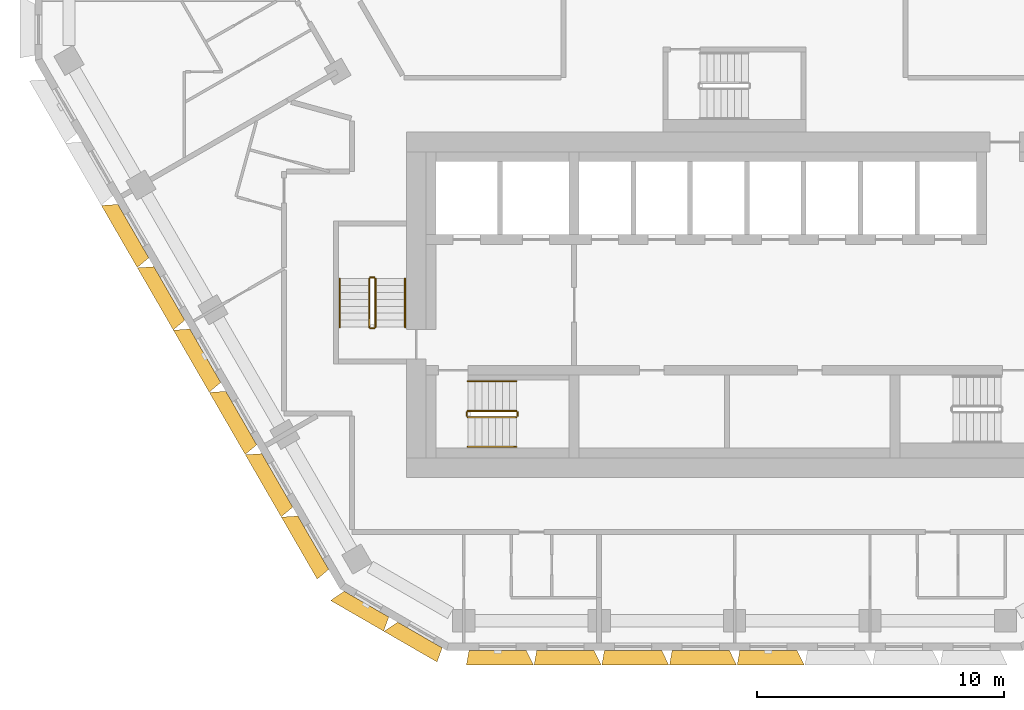
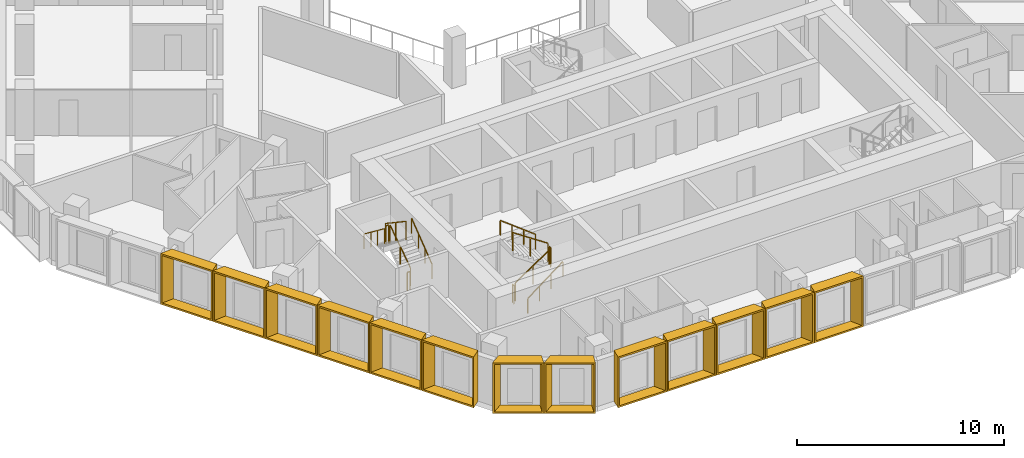
# One storey, part 14 of 17: 13 shading devices, 12 railings.
"""IFC4 building model written with IfcOpenShell, lengths in metres."""

import ifcopenshell
import ifcopenshell.guid

model = None  # the IFC model being written
_history = None  # IfcOwnerHistory: only IFC2X3 demands one
_inside = {}  # id of a spatial element -> (the spatial element, [elements in it])
_under = {}  # id of a project, library or spatial element -> (it, [spatial elements below it])
_declared = {}  # id of a project -> (the project, [libraries it declares])
_typed = {}  # id of a type object -> (the type object, [elements of that type])
_made_of = {}  # id of a material, layer set ... -> (it, [elements and type objects made of it])


def new_model(schema):
    """Start an empty IFC model of exactly this schema.

    Asked for "IFC4X3", IfcOpenShell would pick the latest addendum, in which some entities
    have other attributes; the version numbers below select the first issue.
    IFC2X3 requires an IfcOwnerHistory on every rooted entity: one is made here for all.
    """
    global model, _history
    if schema == "IFC4X3":
        model = ifcopenshell.file(schema_version=(4, 3, 0, 0))
    else:
        model = ifcopenshell.file(schema=schema)
    _inside.clear()
    _under.clear()
    _declared.clear()
    _typed.clear()
    _made_of.clear()
    _history = None
    if model.schema == "IFC2X3":
        org = make("IfcOrganization", Name="unknown")
        user = make(
            "IfcPersonAndOrganization",
            ThePerson=make("IfcPerson", FamilyName="unknown"),
            TheOrganization=org,
        )
        app = make(
            "IfcApplication",
            ApplicationDeveloper=org,
            Version="unknown",
            ApplicationFullName="unknown",
            ApplicationIdentifier="unknown",
        )
        _history = make(
            "IfcOwnerHistory",
            OwningUser=user,
            OwningApplication=app,
            ChangeAction="ADDED",
            CreationDate=0,
        )
    return model


def make(cls, **values):
    """One entity of the class cls with the attributes given. An attribute that is None is left unset."""
    return model.create_entity(
        cls, **{name: value for name, value in values.items() if value is not None}
    )


def entity(cls, *values):
    """Any entity or typed value of the class cls, its attributes in the order of the schema. None: left unset."""
    e = model.create_entity(cls)
    for i, value in enumerate(values):
        if value is not None:
            e[i] = value
    return e


def rooted(cls, **values):
    """An entity with a GlobalId (a new one), such as an element, a storey or a relation."""
    return make(cls, GlobalId=ifcopenshell.guid.new(), OwnerHistory=_history, **values)


def si_unit(unit_type, name, prefix=None):
    """IfcSIUnit, for example si_unit("LENGTHUNIT", "METRE", prefix="MILLI")."""
    return make("IfcSIUnit", UnitType=unit_type, Prefix=prefix, Name=name)


def assignment(units):
    """IfcUnitAssignment: the units of a project."""
    return None if units is None else make("IfcUnitAssignment", Units=units)


def point(xyz):
    """IfcCartesianPoint."""
    return None if xyz is None else make("IfcCartesianPoint", Coordinates=xyz)


def direction(xyz):
    """IfcDirection."""
    return None if xyz is None else make("IfcDirection", DirectionRatios=xyz)


def frame(location, z_axis=None, x_axis=None):
    """IfcAxis2Placement3D, a coordinate frame: its origin and axes. An axis left out is left unset."""
    return make(
        "IfcAxis2Placement3D",
        Location=point(location),
        Axis=direction(z_axis),
        RefDirection=direction(x_axis),
    )


def frame_2d(location, x_axis=None):
    """IfcAxis2Placement2D, a coordinate frame in the plane: its origin and x axis."""
    return make(
        "IfcAxis2Placement2D", Location=point(location), RefDirection=direction(x_axis)
    )


def origin():
    """The frame at (0, 0, 0) with its axes left unset."""
    return frame((0.0, 0.0, 0.0))


def origin_2d():
    """The frame at (0, 0) in the plane with its x axis left unset."""
    return frame_2d((0.0, 0.0))


def place(relative_to, where):
    """IfcLocalPlacement: puts the frame where relative to a parent placement (None: the world)."""
    return make(
        "IfcLocalPlacement", PlacementRelTo=relative_to, RelativePlacement=where
    )


def context(
    kind, dimensions, precision=None, world=None, true_north=None, identifier=None
):
    """IfcGeometricRepresentationContext, for example the 3D "Model" context."""
    return make(
        "IfcGeometricRepresentationContext",
        ContextIdentifier=identifier,
        ContextType=kind,
        CoordinateSpaceDimension=dimensions,
        Precision=precision,
        WorldCoordinateSystem=world,
        TrueNorth=true_north,
    )


def subcontext(parent, identifier, kind, view, scale=None):
    """IfcGeometricRepresentationSubContext, for example "Body" below "Model"."""
    return make(
        "IfcGeometricRepresentationSubContext",
        ContextIdentifier=identifier,
        ContextType=kind,
        ParentContext=parent,
        TargetScale=scale,
        TargetView=view,
    )


def project(units=None, contexts=None):
    """IfcProject with its units and contexts."""
    return rooted(
        "IfcProject",
        Name="project",
        RepresentationContexts=contexts,
        UnitsInContext=assignment(units),
    )


def spatial(cls, under=None, at=None, **own):
    """A site, building, storey or space (cls), placed at a placement, below another one or the project."""
    s = rooted(cls, ObjectPlacement=at, **own)
    if under is not None:
        _under.setdefault(under.id(), (under, []))[1].append(s)
    return s


def profile(cls, at=None, kind="AREA", **sizes):
    """A parametric profile (cls). Its sizes go by their IFC names, for example OverallWidth=200.0."""
    return make(cls, ProfileType=kind, Position=at, **sizes)


def rectangle(**sizes):
    """IfcRectangleProfileDef."""
    return profile("IfcRectangleProfileDef", **sizes)


def extrude(swept, where, along, depth):
    """IfcExtrudedAreaSolid: the profile swept, set in the frame where, extruded along a direction by depth."""
    return make(
        "IfcExtrudedAreaSolid",
        SweptArea=swept,
        Position=where,
        ExtrudedDirection=direction(along),
        Depth=depth,
    )


def shape(context_of_items, identifier, shape_type, items):
    """IfcShapeRepresentation: the items that make up one representation, for example the "Body"."""
    return make(
        "IfcShapeRepresentation",
        ContextOfItems=context_of_items,
        RepresentationIdentifier=identifier,
        RepresentationType=shape_type,
        Items=items,
    )


def source(mapping_origin, context_of_items, identifier, shape_type, items):
    """IfcRepresentationMap: a shape defined once, which mapped items show again and again."""
    return make(
        "IfcRepresentationMap",
        MappingOrigin=mapping_origin,
        MappedRepresentation=shape(context_of_items, identifier, shape_type, items),
    )


def transform(
    local_origin,
    x_axis=None,
    y_axis=None,
    z_axis=None,
    scale=None,
    scale2=None,
    scale3=None,
    uniform=True,
):
    """IfcCartesianTransformationOperator3D, or its non-uniform kind. x_axis, y_axis, z_axis: its Axis1, 2, 3."""
    if uniform:
        return make(
            "IfcCartesianTransformationOperator3D",
            Axis1=direction(x_axis),
            Axis2=direction(y_axis),
            LocalOrigin=point(local_origin),
            Scale=scale,
            Axis3=direction(z_axis),
        )
    return make(
        "IfcCartesianTransformationOperator3DnonUniform",
        Axis1=direction(x_axis),
        Axis2=direction(y_axis),
        LocalOrigin=point(local_origin),
        Scale=scale,
        Axis3=direction(z_axis),
        Scale2=scale2,
        Scale3=scale3,
    )


def mapped(mapping_source, mapping_target):
    """IfcMappedItem: shows the shape of a source again, moved by a transform."""
    return make(
        "IfcMappedItem", MappingSource=mapping_source, MappingTarget=mapping_target
    )


def material(Name=None, Category=None):
    """IfcMaterial."""
    return make("IfcMaterial", Name=Name, Category=Category)


def made_of(thing, what):
    """Note that an element or type object is made of a material, layer set ...; save() writes the relation."""
    if what is not None:
        _made_of.setdefault(what.id(), (what, []))[1].append(thing)
    return thing


def type_object(cls, material=None, **own):
    """A type object (cls), such as IfcWallType, which elements share."""
    return made_of(rooted(cls, **own), material)


def type_shapes(of_type, sources):
    """Give a type object the sources (RepresentationMaps) that its elements show as mapped items."""
    of_type.RepresentationMaps = sources


def element(
    cls,
    number,
    at=None,
    inside=None,
    cuts=None,
    type_object=None,
    material=None,
    context=None,
    identifier="Body",
    shape_type=None,
    held_by="IfcProductDefinitionShape",
    body=None,
    shapes=None,
    **own,
):
    """One element of the class cls, such as IfcWall. Its Tag is "e" and its number.

    at: its placement. inside: the storey or other place that contains it. cuts: it is an
    opening in that element (IfcRelVoidsElement). A single representation is given by context,
    identifier, shape_type and body (its items); several are given by shapes. held_by: the class
    of the entity that holds the representations. save() writes the other relations.
    """
    e = rooted(cls, Tag="e%d" % number, ObjectPlacement=at, **own)
    if body is not None:
        shapes = [shape(context, identifier, shape_type, body)]
    if shapes is not None:
        e.Representation = make(held_by, Representations=shapes)
    if inside is not None:
        _inside.setdefault(inside.id(), (inside, []))[1].append(e)
    if cuts is not None:
        rooted(
            "IfcRelVoidsElement", RelatingBuildingElement=cuts, RelatedOpeningElement=e
        )
    if type_object is not None:
        _typed.setdefault(type_object.id(), (type_object, []))[1].append(e)
    return made_of(e, material)


def aggregate(whole, parts):
    """IfcRelAggregates: a whole, such as a stair, and the parts it consists of."""
    return rooted("IfcRelAggregates", RelatingObject=whole, RelatedObjects=parts)


def save(model, path):
    """Write the relations noted so far, then the file.

    IfcRelAggregates (storeys below a building ...), IfcRelContainedInSpatialStructure (elements
    in a storey), IfcRelDefinesByType, IfcRelAssociatesMaterial and IfcRelDeclares: one each for
    every whole, place, type object, material and project.
    """
    for whole, parts in _under.values():
        aggregate(whole, parts)
    for where, things in _inside.values():
        rooted(
            "IfcRelContainedInSpatialStructure",
            RelatedElements=things,
            RelatingStructure=where,
        )
    for kind, things in _typed.values():
        rooted("IfcRelDefinesByType", RelatedObjects=things, RelatingType=kind)
    for what, things in _made_of.values():
        rooted("IfcRelAssociatesMaterial", RelatedObjects=things, RelatingMaterial=what)
    for by, libraries in _declared.values():
        rooted("IfcRelDeclares", RelatingContext=by, RelatedDefinitions=libraries)
    model.write(path)


model = new_model("IFC4")

# Units and contexts
model_context = context("Model", 3, precision=1e-05, world=origin(), true_north=direction((0.0, 1.0)))
body_context = subcontext(model_context, "Body", "Model", "MODEL_VIEW")
ifc_project = project(units=[si_unit("LENGTHUNIT", "METRE"), si_unit("AREAUNIT", "SQUARE_METRE"), si_unit("VOLUMEUNIT", "CUBIC_METRE"), si_unit("PLANEANGLEUNIT", "RADIAN"), si_unit("MASSUNIT", "GRAM", prefix="KILO")], contexts=[model_context])

# Site, building, storey
site_placement = place(None, origin())
site = spatial("IfcSite", under=ifc_project, at=site_placement, CompositionType="ELEMENT")
building_placement = place(site_placement, origin())
building = spatial("IfcBuilding", under=site, at=building_placement, Name="Beryl Residences", CompositionType="ELEMENT")
storey_placement = place(building_placement, frame((0.0, 0.0, 144.60009765625)))
storey = spatial("IfcBuildingStorey", under=building, at=storey_placement, Name="L44", CompositionType="ELEMENT", Elevation=144.60009765625)

# Shading devices
ifc_material_1 = material(Name="Aluminium pale anodised", Category="aluminium")
shading_device_type_1 = type_object("IfcShadingDeviceType", Name="FR250-60B OUTER SKIN frame 600 mm deep, splay 26/10 deg, 2500 x 3000 mm cell", PredefinedType="USERDEFINED", material=ifc_material_1)
cartesian_point_1 = entity("IfcCartesianPoint", [-1.04052734375, 0.0])
cartesian_point_2 = entity("IfcCartesianPoint", [-0.951416015625, 0.10009765625])
cartesian_point_3 = entity("IfcCartesianPoint", [-1.333251953125, 0.0])
cartesian_point_4 = entity("IfcCartesianPoint", [-1.244140625, 0.10009765625])
shared_shape_1 = source(origin(), body_context, "Body", "SweptSolid", [
    entity("IfcExtrudedAreaSolidTapered", entity("IfcArbitraryProfileDefWithVoids", "AREA", None, entity("IfcPolyline", [cartesian_point_1, entity("IfcCartesianPoint", [1.04052734375, 0.0]), entity("IfcCartesianPoint", [1.04052734375, 3.0]), entity("IfcCartesianPoint", [-1.04052734375, 3.0]), cartesian_point_1]), [entity("IfcPolyline", [cartesian_point_2, entity("IfcCartesianPoint", [0.959228515625, 0.10009765625]), entity("IfcCartesianPoint", [0.959228515625, 2.89990234375]), entity("IfcCartesianPoint", [-0.951416015625, 2.89990234375]), cartesian_point_2])]), entity("IfcAxis2Placement3D", entity("IfcCartesianPoint", [0.0, 0.0, 0.0]), entity("IfcDirection", [0.0, 1.0, 0.0]), entity("IfcDirection", [-1.0, 0.0, 0.0])), entity("IfcDirection", [0.0, 0.0, 1.0]), 0.60009765625, entity("IfcArbitraryProfileDefWithVoids", "AREA", None, entity("IfcPolyline", [cartesian_point_3, entity("IfcCartesianPoint", [1.146240234375, 0.0]), entity("IfcCartesianPoint", [1.146240234375, 3.0]), entity("IfcCartesianPoint", [-1.333251953125, 3.0]), cartesian_point_3]), [entity("IfcPolyline", [cartesian_point_4, entity("IfcCartesianPoint", [1.06494140625, 0.10009765625]), entity("IfcCartesianPoint", [1.06494140625, 2.89990234375]), entity("IfcCartesianPoint", [-1.244140625, 2.89990234375]), cartesian_point_4])])),
])
type_shapes(shading_device_type_1, [shared_shape_1])
for number, where, z_axis, x_axis, name in (
    (1, (-14.909912109375, -24.125, 0.0), (0.0, 0.0, 1.0), (-0.866025403784, 0.5, 0.0), "FR250-60B frame L44 SW-S 1"),
    (2, (-12.7451171875, -25.375, 0.0), (0.0, 0.0, 1.0), (-0.866025403784, 0.5, 0.0), "FR250-60B frame L44 SW-S 2"),
):
    element("IfcShadingDevice", number, at=place(storey_placement, frame(where, z_axis=z_axis, x_axis=x_axis)), inside=storey, type_object=shading_device_type_1, Name=name, ObjectType="OUTER SKIN", PredefinedType="USERDEFINED", context=body_context, shape_type="MappedRepresentation", body=[
        mapped(shared_shape_1, transform((0.0, 0.0, 0.0))),
    ])
ifc_material_2 = material(Name="Aluminium pale anodised", Category="aluminium")
shading_device_type_2 = type_object("IfcShadingDeviceType", Name="FR274-60C OUTER SKIN frame 600 mm deep, splay 10/26 deg, 2740 x 3000 mm cell", PredefinedType="USERDEFINED", material=ifc_material_2)
cartesian_point_5 = entity("IfcCartesianPoint", [-1.160400390625, 0.0])
cartesian_point_6 = entity("IfcCartesianPoint", [-1.079345703125, 0.10009765625])
cartesian_point_7 = entity("IfcCartesianPoint", [-1.266357421875, 0.0])
cartesian_point_8 = entity("IfcCartesianPoint", [-1.18505859375, 0.10009765625])
shared_shape_2 = source(origin(), body_context, "Body", "SweptSolid", [
    entity("IfcExtrudedAreaSolidTapered", entity("IfcArbitraryProfileDefWithVoids", "AREA", None, entity("IfcPolyline", [cartesian_point_5, entity("IfcCartesianPoint", [1.160400390625, 0.0]), entity("IfcCartesianPoint", [1.160400390625, 3.0]), entity("IfcCartesianPoint", [-1.160400390625, 3.0]), cartesian_point_5]), [entity("IfcPolyline", [cartesian_point_6, entity("IfcCartesianPoint", [1.071533203125, 0.10009765625]), entity("IfcCartesianPoint", [1.071533203125, 2.89990234375]), entity("IfcCartesianPoint", [-1.079345703125, 2.89990234375]), cartesian_point_6])]), entity("IfcAxis2Placement3D", entity("IfcCartesianPoint", [0.0, 0.0, 0.0]), entity("IfcDirection", [0.0, 1.0, 0.0]), entity("IfcDirection", [-1.0, 0.0, 0.0])), entity("IfcDirection", [0.0, 0.0, 1.0]), 0.60009765625, entity("IfcArbitraryProfileDefWithVoids", "AREA", None, entity("IfcPolyline", [cartesian_point_7, entity("IfcCartesianPoint", [1.453125, 0.0]), entity("IfcCartesianPoint", [1.453125, 3.0]), entity("IfcCartesianPoint", [-1.266357421875, 3.0]), cartesian_point_7]), [entity("IfcPolyline", [cartesian_point_8, entity("IfcCartesianPoint", [1.364013671875, 0.10009765625]), entity("IfcCartesianPoint", [1.364013671875, 2.89990234375]), entity("IfcCartesianPoint", [-1.18505859375, 2.89990234375]), cartesian_point_8])])),
])
type_shapes(shading_device_type_2, [shared_shape_2])
for number, where, z_axis, x_axis, name in (
    (3, (-9.597900390625, -26.0, 0.0), (0.0, 0.0, 1.0), (-1.0, 0.0, 0.0), "FR274-60C frame L44 S 1"),
    (4, (-6.85498046875, -26.0, 0.0), (0.0, 0.0, 1.0), (-1.0, 0.0, 0.0), "FR274-60C frame L44 S 2"),
    (5, (-4.113037109375, -26.0, 0.0), (0.0, 0.0, 1.0), (-1.0, 0.0, 0.0), "FR274-60C frame L44 S 3"),
    (6, (-1.3701171875, -26.0, 0.0), (0.0, 0.0, 1.0), (-1.0, 0.0, 0.0), "FR274-60C frame L44 S 4"),
    (7, (1.3720703125, -26.0, 0.0), (0.0, 0.0, 1.0), (-1.0, 0.0, 0.0), "FR274-60C frame L44 S 5"),
):
    element("IfcShadingDevice", number, at=place(storey_placement, frame(where, z_axis=z_axis, x_axis=x_axis)), inside=storey, type_object=shading_device_type_2, Name=name, ObjectType="OUTER SKIN", PredefinedType="USERDEFINED", context=body_context, shape_type="MappedRepresentation", body=[
        mapped(shared_shape_2, transform((0.0, 0.0, 0.0))),
    ])
ifc_material_3 = material(Name="Aluminium pale anodised", Category="aluminium")
shading_device_type_3 = type_object("IfcShadingDeviceType", Name="FR292-60B OUTER SKIN frame 600 mm deep, splay 26/10 deg, 2920 x 3000 mm cell", PredefinedType="USERDEFINED", material=ifc_material_3)
cartesian_point_9 = entity("IfcCartesianPoint", [-1.25048828125, 0.0])
cartesian_point_10 = entity("IfcCartesianPoint", [-1.161376953125, 0.10009765625])
cartesian_point_11 = entity("IfcCartesianPoint", [-1.543212890625, 0.0])
cartesian_point_12 = entity("IfcCartesianPoint", [-1.4541015625, 0.10009765625])
shared_shape_3 = source(origin(), body_context, "Body", "SweptSolid", [
    entity("IfcExtrudedAreaSolidTapered", entity("IfcArbitraryProfileDefWithVoids", "AREA", None, entity("IfcPolyline", [cartesian_point_9, entity("IfcCartesianPoint", [1.25048828125, 0.0]), entity("IfcCartesianPoint", [1.25048828125, 3.0]), entity("IfcCartesianPoint", [-1.25048828125, 3.0]), cartesian_point_9]), [entity("IfcPolyline", [cartesian_point_10, entity("IfcCartesianPoint", [1.169189453125, 0.10009765625]), entity("IfcCartesianPoint", [1.169189453125, 2.89990234375]), entity("IfcCartesianPoint", [-1.161376953125, 2.89990234375]), cartesian_point_10])]), entity("IfcAxis2Placement3D", entity("IfcCartesianPoint", [0.0, 0.0, 0.0]), entity("IfcDirection", [0.0, 1.0, 0.0]), entity("IfcDirection", [-1.0, 0.0, 0.0])), entity("IfcDirection", [0.0, 0.0, 1.0]), 0.60009765625, entity("IfcArbitraryProfileDefWithVoids", "AREA", None, entity("IfcPolyline", [cartesian_point_11, entity("IfcCartesianPoint", [1.356201171875, 0.0]), entity("IfcCartesianPoint", [1.356201171875, 3.0]), entity("IfcCartesianPoint", [-1.543212890625, 3.0]), cartesian_point_11]), [entity("IfcPolyline", [cartesian_point_12, entity("IfcCartesianPoint", [1.275146484375, 0.10009765625]), entity("IfcCartesianPoint", [1.275146484375, 2.89990234375]), entity("IfcCartesianPoint", [-1.4541015625, 2.89990234375]), cartesian_point_12])])),
])
type_shapes(shading_device_type_3, [shared_shape_3])
for number, where, z_axis, x_axis, name in (
    (8, (-24.35693359375, -9.011962890625, 0.0), (0.0, 0.0, 1.0), (-0.5, 0.866025403784, 0.0), "FR292-60B frame L44 SW 3"),
    (9, (-22.89892578125, -11.537109375, 0.0), (0.0, 0.0, 1.0), (-0.5, 0.866025403784, 0.0), "FR292-60B frame L44 SW 4"),
    (10, (-21.44189453125, -14.06201171875, 0.0), (0.0, 0.0, 1.0), (-0.5, 0.866025403784, 0.0), "FR292-60B frame L44 SW 5"),
    (11, (-19.98388671875, -16.5859375, 0.0), (0.0, 0.0, 1.0), (-0.5, 0.866025403784, 0.0), "FR292-60B frame L44 SW 6"),
    (12, (-18.52587890625, -19.111083984375, 0.0), (0.0, 0.0, 1.0), (-0.5, 0.866025403784, 0.0), "FR292-60B frame L44 SW 7"),
    (13, (-17.068115234375, -21.635986328125, 0.0), (0.0, 0.0, 1.0), (-0.5, 0.866025403784, 0.0), "FR292-60B frame L44 SW 8"),
):
    element("IfcShadingDevice", number, at=place(storey_placement, frame(where, z_axis=z_axis, x_axis=x_axis)), inside=storey, type_object=shading_device_type_3, Name=name, ObjectType="OUTER SKIN", PredefinedType="USERDEFINED", context=body_context, shape_type="MappedRepresentation", body=[
        mapped(shared_shape_3, transform((0.0, 0.0, 0.0))),
    ])

# Railings
ifc_material_4 = material(Name="Stainless steel balustrade with glass infill", Category="steel")
railing_type_1 = type_object("IfcRailingType", Name="SG1 stair guard 1100 mm", PredefinedType="GUARDRAIL", material=ifc_material_4)
railing_1_placement = place(storey_placement, frame((-10.800048828125, -16.550048828125, 0.1875)))
element("IfcRailing", 14, at=railing_1_placement, inside=storey, type_object=railing_type_1, Name="L44 ST-1 stair guard 1", PredefinedType="GUARDRAIL", context=body_context, shape_type="SweptSolid", body=[
    extrude(rectangle(XDim=0.048095703125, YDim=0.048095703125, at=origin_2d()), frame((0.0, 0.0, 1.076171875), z_axis=(0.830902050051, 0.0, 0.556418712142), x_axis=(0.0, 1.0, 0.0)), (0.0, 0.0, 1.0), 2.35888671875),
    extrude(rectangle(XDim=0.0419921875, YDim=0.0419921875, at=origin_2d()), origin(), (0.0, 0.0, 1.0), 1.052001953125),
    extrude(rectangle(XDim=0.0419921875, YDim=0.0419921875, at=origin_2d()), frame((0.97998046875, 0.0, 0.65625)), (0.0, 0.0, 1.0), 1.052001953125),
    extrude(rectangle(XDim=0.0419921875, YDim=0.0419921875, at=origin_2d()), frame((1.9599609375, 0.0, 1.3125)), (0.0, 0.0, 1.0), 1.052001953125),
])
railing_2_placement = place(storey_placement, frame((-8.7900390625, -16.5, 1.5)))
element("IfcRailing", 15, at=railing_2_placement, inside=storey, type_object=railing_type_1, Name="L44 ST-1 stair guard 2", PredefinedType="GUARDRAIL", context=body_context, shape_type="SweptSolid", body=[
    extrude(rectangle(XDim=0.048095703125, YDim=0.048095703125, at=origin_2d()), frame((0.0, 0.0, 1.076171875), z_axis=(0.0, 1.0, 0.0), x_axis=(-1.0, 0.0, 0.0)), (0.0, 0.0, 1.0), 0.14990234375),
    extrude(rectangle(XDim=0.0419921875, YDim=0.0419921875, at=origin_2d()), origin(), (0.0, 0.0, 1.0), 1.052001953125),
    extrude(rectangle(XDim=0.0419921875, YDim=0.0419921875, at=origin_2d()), frame((0.0, 0.14990234375, 0.0)), (0.0, 0.0, 1.0), 1.052001953125),
])
railing_3_placement = place(storey_placement, frame((-8.840087890625, -16.300048828125, 1.6875)))
element("IfcRailing", 16, at=railing_3_placement, inside=storey, type_object=railing_type_1, Name="L44 ST-1 stair guard 3", PredefinedType="GUARDRAIL", context=body_context, shape_type="SweptSolid", body=[
    extrude(rectangle(XDim=0.048095703125, YDim=0.048095703125, at=origin_2d()), frame((0.0, 0.0, 1.076171875), z_axis=(-0.830902050051, 0.0, 0.556418712142), x_axis=(0.0, -1.0, 0.0)), (0.0, 0.0, 1.0), 2.35888671875),
    extrude(rectangle(XDim=0.0419921875, YDim=0.0419921875, at=origin_2d()), origin(), (0.0, 0.0, 1.0), 1.052001953125),
    extrude(rectangle(XDim=0.0419921875, YDim=0.0419921875, at=origin_2d()), frame((-0.97998046875, 0.0, 0.65625)), (0.0, 0.0, 1.0), 1.052001953125),
    extrude(rectangle(XDim=0.0419921875, YDim=0.0419921875, at=origin_2d()), frame((-1.9599609375, 0.0, 1.3125)), (0.0, 0.0, 1.0), 1.052001953125),
])
railing_4_placement = place(storey_placement, frame((-10.85009765625, -16.5, 0.0)))
element("IfcRailing", 17, at=railing_4_placement, inside=storey, type_object=railing_type_1, Name="L44 ST-1 stair guard 4", PredefinedType="GUARDRAIL", context=body_context, shape_type="SweptSolid", body=[
    extrude(rectangle(XDim=0.048095703125, YDim=0.048095703125, at=origin_2d()), frame((0.0, 0.0, 1.076171875), z_axis=(0.0, 1.0, 0.0), x_axis=(-1.0, 0.0, 0.0)), (0.0, 0.0, 1.0), 0.14990234375),
    extrude(rectangle(XDim=0.0419921875, YDim=0.0419921875, at=origin_2d()), origin(), (0.0, 0.0, 1.0), 1.052001953125),
    extrude(rectangle(XDim=0.0419921875, YDim=0.0419921875, at=origin_2d()), frame((0.0, 0.14990234375, 0.0)), (0.0, 0.0, 1.0), 1.052001953125),
])
railing_5_placement = place(storey_placement, frame((-14.550048828125, -12.89990234375, 0.1875)))
element("IfcRailing", 18, at=railing_5_placement, inside=storey, type_object=railing_type_1, Name="L44 ST-2 stair guard 1", PredefinedType="GUARDRAIL", context=body_context, shape_type="SweptSolid", body=[
    extrude(rectangle(XDim=0.048095703125, YDim=0.048095703125, at=origin_2d()), frame((0.0, 0.0, 1.076171875), z_axis=(0.0, 0.830902050051, 0.556418712142), x_axis=(-1.0, 0.0, 0.0)), (0.0, 0.0, 1.0), 2.35888671875),
    extrude(rectangle(XDim=0.0419921875, YDim=0.0419921875, at=origin_2d()), origin(), (0.0, 0.0, 1.0), 1.052001953125),
    extrude(rectangle(XDim=0.0419921875, YDim=0.0419921875, at=origin_2d()), frame((0.0, 0.97998046875, 0.65625)), (0.0, 0.0, 1.0), 1.052001953125),
    extrude(rectangle(XDim=0.0419921875, YDim=0.0419921875, at=origin_2d()), frame((0.0, 1.9599609375, 1.3125)), (0.0, 0.0, 1.0), 1.052001953125),
])
railing_6_placement = place(storey_placement, frame((-14.60009765625, -10.889892578125, 1.5)))
element("IfcRailing", 19, at=railing_6_placement, inside=storey, type_object=railing_type_1, Name="L44 ST-2 stair guard 2", PredefinedType="GUARDRAIL", context=body_context, shape_type="SweptSolid", body=[
    extrude(rectangle(XDim=0.048095703125, YDim=0.048095703125, at=origin_2d()), frame((0.0, 0.0, 1.076171875), z_axis=(-1.0, 0.0, 0.0), x_axis=(0.0, -1.0, 0.0)), (0.0, 0.0, 1.0), 0.14990234375),
    extrude(rectangle(XDim=0.0419921875, YDim=0.0419921875, at=origin_2d()), origin(), (0.0, 0.0, 1.0), 1.052001953125),
    extrude(rectangle(XDim=0.0419921875, YDim=0.0419921875, at=origin_2d()), frame((-0.14990234375, 0.0, 0.0)), (0.0, 0.0, 1.0), 1.052001953125),
])
railing_7_placement = place(storey_placement, frame((-14.800048828125, -10.93994140625, 1.6875)))
element("IfcRailing", 20, at=railing_7_placement, inside=storey, type_object=railing_type_1, Name="L44 ST-2 stair guard 3", PredefinedType="GUARDRAIL", context=body_context, shape_type="SweptSolid", body=[
    extrude(rectangle(XDim=0.048095703125, YDim=0.048095703125, at=origin_2d()), frame((0.0, 0.0, 1.076171875), z_axis=(0.0, -0.830902050051, 0.556418712142), x_axis=(1.0, 0.0, 0.0)), (0.0, 0.0, 1.0), 2.35888671875),
    extrude(rectangle(XDim=0.0419921875, YDim=0.0419921875, at=origin_2d()), origin(), (0.0, 0.0, 1.0), 1.052001953125),
    extrude(rectangle(XDim=0.0419921875, YDim=0.0419921875, at=origin_2d()), frame((0.0, -0.97998046875, 0.65625)), (0.0, 0.0, 1.0), 1.052001953125),
    extrude(rectangle(XDim=0.0419921875, YDim=0.0419921875, at=origin_2d()), frame((0.0, -1.9599609375, 1.3125)), (0.0, 0.0, 1.0), 1.052001953125),
])
railing_8_placement = place(storey_placement, frame((-14.60009765625, -12.949951171875, 0.0)))
element("IfcRailing", 21, at=railing_8_placement, inside=storey, type_object=railing_type_1, Name="L44 ST-2 stair guard 4", PredefinedType="GUARDRAIL", context=body_context, shape_type="SweptSolid", body=[
    extrude(rectangle(XDim=0.048095703125, YDim=0.048095703125, at=origin_2d()), frame((0.0, 0.0, 1.076171875), z_axis=(-1.0, 0.0, 0.0), x_axis=(0.0, -1.0, 0.0)), (0.0, 0.0, 1.0), 0.14990234375),
    extrude(rectangle(XDim=0.0419921875, YDim=0.0419921875, at=origin_2d()), origin(), (0.0, 0.0, 1.0), 1.052001953125),
    extrude(rectangle(XDim=0.0419921875, YDim=0.0419921875, at=origin_2d()), frame((-0.14990234375, 0.0, 0.0)), (0.0, 0.0, 1.0), 1.052001953125),
])
ifc_material_5 = material(Name="Stainless steel handrail", Category="steel")
railing_type_2 = type_object("IfcRailingType", Name="SRL1 stair handrail 900 mm", PredefinedType="HANDRAIL", material=ifc_material_5)
railing_9_placement = place(storey_placement, frame((-10.800048828125, -17.75, 0.1875)))
element("IfcRailing", 22, at=railing_9_placement, inside=storey, type_object=railing_type_2, Name="L44 ST-1 stair handrail 1", PredefinedType="HANDRAIL", context=body_context, shape_type="SweptSolid", body=[
    extrude(rectangle(XDim=0.048095703125, YDim=0.048095703125, at=origin_2d()), frame((0.0, 0.0, 0.8759765625), z_axis=(0.794121922505, 0.0, 0.607758481798), x_axis=(0.0, 1.0, 0.0)), (0.0, 0.0, 1.0), 2.468017578125),
    extrude(rectangle(XDim=0.0419921875, YDim=0.0419921875, at=origin_2d()), origin(), (0.0, 0.0, 1.0), 0.851806640625),
    extrude(rectangle(XDim=0.0419921875, YDim=0.0419921875, at=origin_2d()), frame((0.6533203125, 0.0, 0.5)), (0.0, 0.0, 1.0), 0.851806640625),
    extrude(rectangle(XDim=0.0419921875, YDim=0.0419921875, at=origin_2d()), frame((1.306640625, 0.0, 1.0)), (0.0, 0.0, 1.0), 0.851806640625),
    extrude(rectangle(XDim=0.0419921875, YDim=0.0419921875, at=origin_2d()), frame((1.9599609375, 0.0, 1.5)), (0.0, 0.0, 1.0), 0.851806640625),
])
railing_10_placement = place(storey_placement, frame((-8.840087890625, -15.10009765625, 1.6875)))
element("IfcRailing", 23, at=railing_10_placement, inside=storey, type_object=railing_type_2, Name="L44 ST-1 stair handrail 2", PredefinedType="HANDRAIL", context=body_context, shape_type="SweptSolid", body=[
    extrude(rectangle(XDim=0.048095703125, YDim=0.048095703125, at=origin_2d()), frame((0.0, 0.0, 0.8759765625), z_axis=(-0.794121922505, 0.0, 0.607758481798), x_axis=(0.0, -1.0, 0.0)), (0.0, 0.0, 1.0), 2.468017578125),
    extrude(rectangle(XDim=0.0419921875, YDim=0.0419921875, at=origin_2d()), origin(), (0.0, 0.0, 1.0), 0.851806640625),
    extrude(rectangle(XDim=0.0419921875, YDim=0.0419921875, at=origin_2d()), frame((-0.6533203125, 0.0, 0.5)), (0.0, 0.0, 1.0), 0.851806640625),
    extrude(rectangle(XDim=0.0419921875, YDim=0.0419921875, at=origin_2d()), frame((-1.306640625, 0.0, 1.0)), (0.0, 0.0, 1.0), 0.851806640625),
    extrude(rectangle(XDim=0.0419921875, YDim=0.0419921875, at=origin_2d()), frame((-1.9599609375, 0.0, 1.5)), (0.0, 0.0, 1.0), 0.851806640625),
])
railing_11_placement = place(storey_placement, frame((-13.35009765625, -12.89990234375, 0.1875)))
element("IfcRailing", 24, at=railing_11_placement, inside=storey, type_object=railing_type_2, Name="L44 ST-2 stair handrail 1", PredefinedType="HANDRAIL", context=body_context, shape_type="SweptSolid", body=[
    extrude(rectangle(XDim=0.048095703125, YDim=0.048095703125, at=origin_2d()), frame((0.0, 0.0, 0.8759765625), z_axis=(0.0, 0.794121922505, 0.607758481798), x_axis=(-1.0, 0.0, 0.0)), (0.0, 0.0, 1.0), 2.468017578125),
    extrude(rectangle(XDim=0.0419921875, YDim=0.0419921875, at=origin_2d()), origin(), (0.0, 0.0, 1.0), 0.851806640625),
    extrude(rectangle(XDim=0.0419921875, YDim=0.0419921875, at=origin_2d()), frame((0.0, 0.6533203125, 0.5)), (0.0, 0.0, 1.0), 0.851806640625),
    extrude(rectangle(XDim=0.0419921875, YDim=0.0419921875, at=origin_2d()), frame((0.0, 1.306640625, 1.0)), (0.0, 0.0, 1.0), 0.851806640625),
    extrude(rectangle(XDim=0.0419921875, YDim=0.0419921875, at=origin_2d()), frame((0.0, 1.9599609375, 1.5)), (0.0, 0.0, 1.0), 0.851806640625),
])
railing_12_placement = place(storey_placement, frame((-16.0, -10.93994140625, 1.6875)))
element("IfcRailing", 25, at=railing_12_placement, inside=storey, type_object=railing_type_2, Name="L44 ST-2 stair handrail 2", PredefinedType="HANDRAIL", context=body_context, shape_type="SweptSolid", body=[
    extrude(rectangle(XDim=0.048095703125, YDim=0.048095703125, at=origin_2d()), frame((0.0, 0.0, 0.8759765625), z_axis=(0.0, -0.794121922505, 0.607758481798), x_axis=(1.0, 0.0, 0.0)), (0.0, 0.0, 1.0), 2.468017578125),
    extrude(rectangle(XDim=0.0419921875, YDim=0.0419921875, at=origin_2d()), origin(), (0.0, 0.0, 1.0), 0.851806640625),
    extrude(rectangle(XDim=0.0419921875, YDim=0.0419921875, at=origin_2d()), frame((0.0, -0.6533203125, 0.5)), (0.0, 0.0, 1.0), 0.851806640625),
    extrude(rectangle(XDim=0.0419921875, YDim=0.0419921875, at=origin_2d()), frame((0.0, -1.306640625, 1.0)), (0.0, 0.0, 1.0), 0.851806640625),
    extrude(rectangle(XDim=0.0419921875, YDim=0.0419921875, at=origin_2d()), frame((0.0, -1.9599609375, 1.5)), (0.0, 0.0, 1.0), 0.851806640625),
])

save(model, "model.ifc")
